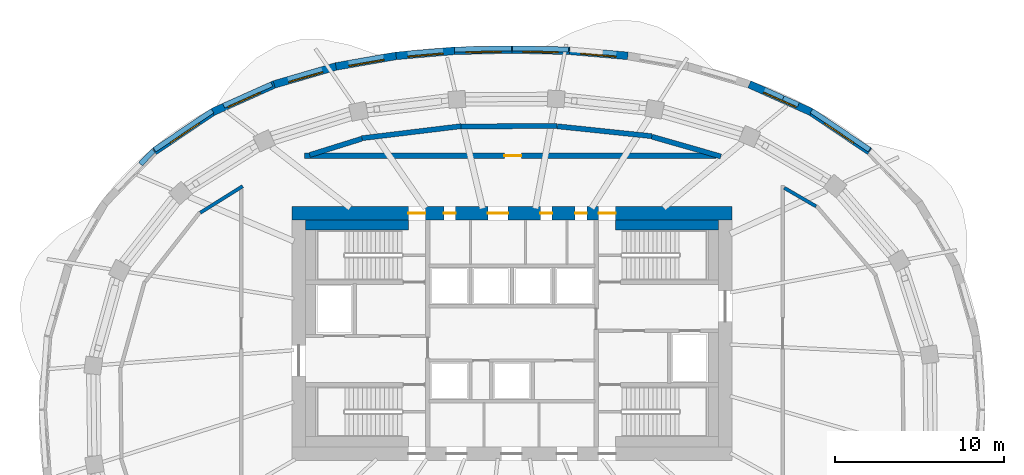
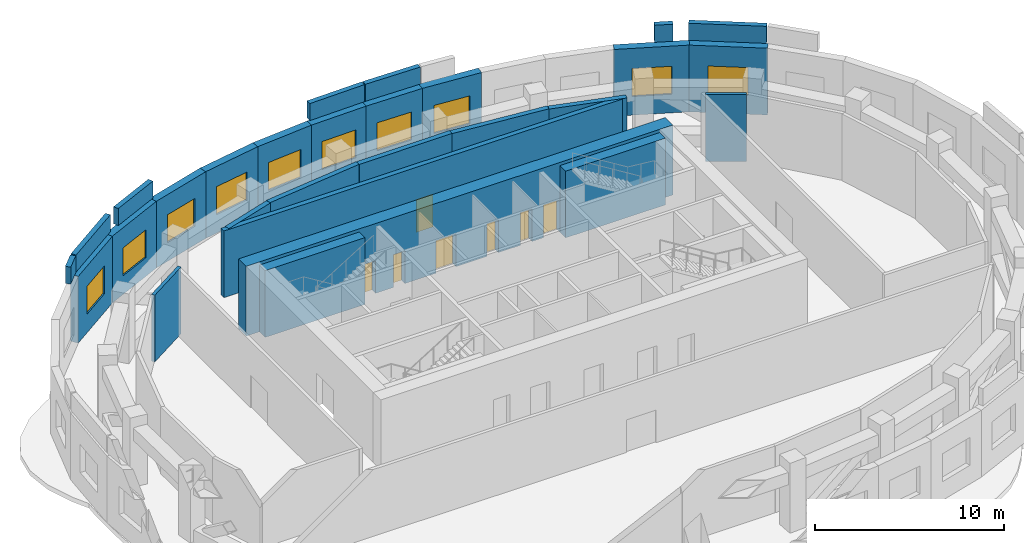
# One storey, part 7 of 9: 28 walls, 10 windows, 7 doors, 17 openings.
"""IFC4 building model written with IfcOpenShell, lengths in metres."""

from ifc_helpers import new_model, si_unit, direction, frame, frame_2d, origin, place, context, subcontext, project, spatial, rectangle, extrude, material, layer, layer_set, type_object, element, fill, save


model = new_model("IFC4")

# Units and contexts
model_context = context("Model", 3, precision=1e-05, world=origin(), true_north=direction((0.0, 1.0)))
body_context = subcontext(model_context, "Body", "Model", "MODEL_VIEW")
ifc_project = project(units=[si_unit("LENGTHUNIT", "METRE"), si_unit("AREAUNIT", "SQUARE_METRE"), si_unit("VOLUMEUNIT", "CUBIC_METRE"), si_unit("PLANEANGLEUNIT", "RADIAN"), si_unit("MASSUNIT", "GRAM", prefix="KILO")], contexts=[model_context])

# Site, building, storey
site_placement = place(None, origin())
site = spatial("IfcSite", under=ifc_project, at=site_placement, CompositionType="ELEMENT")
building_placement = place(site_placement, origin())
building = spatial("IfcBuilding", under=site, at=building_placement, Name="Rubra Terraces Tower", CompositionType="ELEMENT")
storey_placement = place(building_placement, frame((0.0, 0.0, 216.89990234375)))
storey = spatial("IfcBuildingStorey", under=building, at=storey_placement, Name="L53", CompositionType="ELEMENT", Elevation=216.89990234375)

# Wall, opening, window
ifc_material_1 = material(Name="Brick masonry red-brown", Category="masonry")
ifc_layer_1 = layer(ifc_material_1, 0.449951171875)
ifc_layer_set_1 = layer_set([ifc_layer_1], Name="Brick masonry red-brown")
wall_type_1 = type_object("IfcWallType", Name="Brick facade wall 450", PredefinedType="SOLIDWALL", material=ifc_layer_set_1)
wall_1_placement = place(storey_placement, frame((21.130126953125, 15.257568359375, 0.0), z_axis=(0.0, 0.0, 1.0), x_axis=(-0.829077786947, 0.559133278557, 0.0)))
wall_1 = element("IfcWall", 1, at=wall_1_placement, inside=storey, type_object=wall_type_1, Name="Facade wall L53 bay 5", PredefinedType="SOLIDWALL", context=body_context, shape_type="SweptSolid", body=[
    extrude(rectangle(XDim=4.1865234375, YDim=0.449951171875, at=frame_2d((2.09326171875, 0.0))), origin(), (0.0, 0.0, 1.0), 4.300048828125),
])
opening_1_placement = place(wall_1_placement, frame((1.043212890625, 0.0, 1.199951171875)))
opening_1 = element("IfcOpeningElement", 2, at=opening_1_placement, cuts=wall_1, Name="Opening W4", PredefinedType="OPENING", context=body_context, shape_type="SweptSolid", body=[
    extrude(rectangle(XDim=2.10009765625, YDim=1.800048828125, at=frame_2d((1.050048828125, 0.89990234375))), frame((0.0, 0.23486328125, 0.0), z_axis=(0.0, -1.0, 0.0), x_axis=(1.0, 0.0, 0.0)), (0.0, 0.0, 1.0), 0.469970703125),
])
ifc_material_2 = material(Name="Clear glass in aluminium frame", Category="aluminium")
window_type = type_object("IfcWindowType", Name="Louvred plant window 2100 x 1800", PartitioningType="SINGLE_PANEL", PredefinedType="WINDOW", material=ifc_material_2)
window_1_placement = place(opening_1_placement, origin())
window_1 = element("IfcWindow", 3, at=window_1_placement, inside=storey, type_object=window_type, Name="Window L53 bay 5", OverallHeight=1.800048828125, OverallWidth=2.10009765625, PartitioningType="SINGLE_PANEL", PredefinedType="WINDOW", context=body_context, shape_type="SweptSolid", body=[
    extrude(rectangle(XDim=2.10009765625, YDim=1.800048828125, at=frame_2d((1.050048828125, 0.89990234375))), frame((0.0, 0.135009765625, 0.0), z_axis=(0.0, -1.0, 0.0), x_axis=(1.0, 0.0, 0.0)), (0.0, 0.0, 1.0), 0.06005859375),
])
fill(opening_1, window_1)

wall_2_placement = place(storey_placement, frame((17.693115234375, 17.57958984375, 0.0), z_axis=(0.0, 0.0, 1.0), x_axis=(-0.912580432801, 0.408897240966, 0.0)))
wall_2 = element("IfcWall", 4, at=wall_2_placement, inside=storey, type_object=wall_type_1, Name="Facade wall L53 bay 6", PredefinedType="SOLIDWALL", context=body_context, shape_type="SweptSolid", body=[
    extrude(rectangle(XDim=4.020751953125, YDim=0.449951171875, at=frame_2d((2.01025390625, 0.0))), origin(), (0.0, 0.0, 1.0), 4.300048828125),
])
opening_2_placement = place(wall_2_placement, frame((0.960205078125, 0.0, 1.199951171875)))
opening_2 = element("IfcOpeningElement", 5, at=opening_2_placement, cuts=wall_2, Name="Opening W4", PredefinedType="OPENING", context=body_context, shape_type="SweptSolid", body=[
    extrude(rectangle(XDim=2.10009765625, YDim=1.800048828125, at=frame_2d((1.050048828125, 0.89990234375))), frame((0.0, 0.23486328125, 0.0), z_axis=(0.0, -1.0, 0.0), x_axis=(1.0, 0.0, 0.0)), (0.0, 0.0, 1.0), 0.469970703125),
])
window_2_placement = place(opening_2_placement, origin())
window_2 = element("IfcWindow", 6, at=window_2_placement, inside=storey, type_object=window_type, Name="Window L53 bay 6", OverallHeight=1.800048828125, OverallWidth=2.10009765625, PartitioningType="SINGLE_PANEL", PredefinedType="WINDOW", context=body_context, shape_type="SweptSolid", body=[
    extrude(rectangle(XDim=2.10009765625, YDim=1.800048828125, at=frame_2d((1.050048828125, 0.89990234375))), frame((0.0, 0.135009765625, 0.0), z_axis=(0.0, -1.0, 0.0), x_axis=(1.0, 0.0, 0.0)), (0.0, 0.0, 1.0), 0.06005859375),
])
fill(opening_2, window_2)

wall_3_placement = place(storey_placement, frame((6.844482421875, 20.90185546875, 0.0), z_axis=(0.0, 0.0, 1.0), x_axis=(-0.99625818993, 0.086426957587, 0.0)))
wall_3 = element("IfcWall", 7, at=wall_3_placement, inside=storey, type_object=wall_type_1, Name="Facade wall L53 bay 9", PredefinedType="SOLIDWALL", context=body_context, shape_type="SweptSolid", body=[
    extrude(rectangle(XDim=3.48291015625, YDim=0.449951171875, at=frame_2d((1.741455078125, 0.0))), origin(), (0.0, 0.0, 1.0), 4.300048828125),
])
opening_3_placement = place(wall_3_placement, frame((0.69140625, 0.0, 1.199951171875)))
opening_3 = element("IfcOpeningElement", 8, at=opening_3_placement, cuts=wall_3, Name="Opening W4", PredefinedType="OPENING", context=body_context, shape_type="SweptSolid", body=[
    extrude(rectangle(XDim=2.10009765625, YDim=1.800048828125, at=frame_2d((1.050048828125, 0.89990234375))), frame((0.0, 0.23486328125, 0.0), z_axis=(0.0, -1.0, 0.0), x_axis=(1.0, 0.0, 0.0)), (0.0, 0.0, 1.0), 0.469970703125),
])
window_3_placement = place(opening_3_placement, origin())
window_3 = element("IfcWindow", 9, at=window_3_placement, inside=storey, type_object=window_type, Name="Window L53 bay 9", OverallHeight=1.800048828125, OverallWidth=2.10009765625, PartitioningType="SINGLE_PANEL", PredefinedType="WINDOW", context=body_context, shape_type="SweptSolid", body=[
    extrude(rectangle(XDim=2.10009765625, YDim=1.800048828125, at=frame_2d((1.050048828125, 0.89990234375))), frame((0.0, 0.135009765625, 0.0), z_axis=(0.0, -1.0, 0.0), x_axis=(1.0, 0.0, 0.0)), (0.0, 0.0, 1.0), 0.06005859375),
])
fill(opening_3, window_3)

wall_4_placement = place(storey_placement, frame((3.38916015625, 21.201904296875, 0.0), z_axis=(0.0, 0.0, 1.0), x_axis=(-0.999768789703, 0.021502723933, 0.0)))
wall_4 = element("IfcWall", 10, at=wall_4_placement, inside=storey, type_object=wall_type_1, Name="Facade wall L53 bay 10", PredefinedType="SOLIDWALL", context=body_context, shape_type="SweptSolid", body=[
    extrude(rectangle(XDim=3.394775390625, YDim=0.449951171875, at=frame_2d((1.697265625, 0.0))), origin(), (0.0, 0.0, 1.0), 4.300048828125),
])
opening_4_placement = place(wall_4_placement, frame((0.6474609375, 0.0, 1.199951171875)))
opening_4 = element("IfcOpeningElement", 11, at=opening_4_placement, cuts=wall_4, Name="Opening W4", PredefinedType="OPENING", context=body_context, shape_type="SweptSolid", body=[
    extrude(rectangle(XDim=2.10009765625, YDim=1.800048828125, at=frame_2d((1.050048828125, 0.89990234375))), frame((0.0, 0.23486328125, 0.0), z_axis=(0.0, -1.0, 0.0), x_axis=(1.0, 0.0, 0.0)), (0.0, 0.0, 1.0), 0.469970703125),
])
window_4_placement = place(opening_4_placement, origin())
window_4 = element("IfcWindow", 12, at=window_4_placement, inside=storey, type_object=window_type, Name="Window L53 bay 10", OverallHeight=1.800048828125, OverallWidth=2.10009765625, PartitioningType="SINGLE_PANEL", PredefinedType="WINDOW", context=body_context, shape_type="SweptSolid", body=[
    extrude(rectangle(XDim=2.10009765625, YDim=1.800048828125, at=frame_2d((1.050048828125, 0.89990234375))), frame((0.0, 0.135009765625, 0.0), z_axis=(0.0, -1.0, 0.0), x_axis=(1.0, 0.0, 0.0)), (0.0, 0.0, 1.0), 0.06005859375),
])
fill(opening_4, window_4)

wall_5_placement = place(storey_placement, frame((0.0048828125, 21.27490234375, 0.0), z_axis=(0.0, 0.0, 1.0), x_axis=(-0.999768789703, -0.021502723933, 0.0)))
wall_5 = element("IfcWall", 13, at=wall_5_placement, inside=storey, type_object=wall_type_1, Name="Facade wall L53 bay 11", PredefinedType="SOLIDWALL", context=body_context, shape_type="SweptSolid", body=[
    extrude(rectangle(XDim=3.394775390625, YDim=0.449951171875, at=frame_2d((1.697265625, 0.0))), origin(), (0.0, 0.0, 1.0), 4.300048828125),
])
opening_5_placement = place(wall_5_placement, frame((0.6474609375, 0.0, 1.199951171875)))
opening_5 = element("IfcOpeningElement", 14, at=opening_5_placement, cuts=wall_5, Name="Opening W4", PredefinedType="OPENING", context=body_context, shape_type="SweptSolid", body=[
    extrude(rectangle(XDim=2.10009765625, YDim=1.800048828125, at=frame_2d((1.050048828125, 0.89990234375))), frame((0.0, 0.23486328125, 0.0), z_axis=(0.0, -1.0, 0.0), x_axis=(1.0, 0.0, 0.0)), (0.0, 0.0, 1.0), 0.469970703125),
])
window_5_placement = place(opening_5_placement, origin())
window_5 = element("IfcWindow", 15, at=window_5_placement, inside=storey, type_object=window_type, Name="Window L53 bay 11", OverallHeight=1.800048828125, OverallWidth=2.10009765625, PartitioningType="SINGLE_PANEL", PredefinedType="WINDOW", context=body_context, shape_type="SweptSolid", body=[
    extrude(rectangle(XDim=2.10009765625, YDim=1.800048828125, at=frame_2d((1.050048828125, 0.89990234375))), frame((0.0, 0.135009765625, 0.0), z_axis=(0.0, -1.0, 0.0), x_axis=(1.0, 0.0, 0.0)), (0.0, 0.0, 1.0), 0.06005859375),
])
fill(opening_5, window_5)

wall_6_placement = place(storey_placement, frame((-3.37451171875, 21.202880859375, 0.0), z_axis=(0.0, 0.0, 1.0), x_axis=(-0.99625818993, -0.086426957587, 0.0)))
wall_6 = element("IfcWall", 16, at=wall_6_placement, inside=storey, type_object=wall_type_1, Name="Facade wall L53 bay 12", PredefinedType="SOLIDWALL", context=body_context, shape_type="SweptSolid", body=[
    extrude(rectangle(XDim=3.48291015625, YDim=0.449951171875, at=frame_2d((1.741455078125, 0.0))), origin(), (0.0, 0.0, 1.0), 4.300048828125),
])
opening_6_placement = place(wall_6_placement, frame((0.69140625, 0.0, 1.199951171875)))
opening_6 = element("IfcOpeningElement", 17, at=opening_6_placement, cuts=wall_6, Name="Opening W4", PredefinedType="OPENING", context=body_context, shape_type="SweptSolid", body=[
    extrude(rectangle(XDim=2.10009765625, YDim=1.800048828125, at=frame_2d((1.050048828125, 0.89990234375))), frame((0.0, 0.23486328125, 0.0), z_axis=(0.0, -1.0, 0.0), x_axis=(1.0, 0.0, 0.0)), (0.0, 0.0, 1.0), 0.469970703125),
])
window_6_placement = place(opening_6_placement, origin())
window_6 = element("IfcWindow", 18, at=window_6_placement, inside=storey, type_object=window_type, Name="Window L53 bay 12", OverallHeight=1.800048828125, OverallWidth=2.10009765625, PartitioningType="SINGLE_PANEL", PredefinedType="WINDOW", context=body_context, shape_type="SweptSolid", body=[
    extrude(rectangle(XDim=2.10009765625, YDim=1.800048828125, at=frame_2d((1.050048828125, 0.89990234375))), frame((0.0, 0.135009765625, 0.0), z_axis=(0.0, -1.0, 0.0), x_axis=(1.0, 0.0, 0.0)), (0.0, 0.0, 1.0), 0.06005859375),
])
fill(opening_6, window_6)

wall_7_placement = place(storey_placement, frame((-6.8251953125, 20.904296875, 0.0), z_axis=(0.0, 0.0, 1.0), x_axis=(-0.984962239205, -0.172769752386, 0.0)))
wall_7 = element("IfcWall", 19, at=wall_7_placement, inside=storey, type_object=wall_type_1, Name="Facade wall L53 bay 13", PredefinedType="SOLIDWALL", context=body_context, shape_type="SweptSolid", body=[
    extrude(rectangle(XDim=3.634521484375, YDim=0.449951171875, at=frame_2d((1.8173828125, 0.0))), origin(), (0.0, 0.0, 1.0), 4.300048828125),
])
opening_7_placement = place(wall_7_placement, frame((0.767333984375, 0.0, 1.199951171875)))
opening_7 = element("IfcOpeningElement", 20, at=opening_7_placement, cuts=wall_7, Name="Opening W4", PredefinedType="OPENING", context=body_context, shape_type="SweptSolid", body=[
    extrude(rectangle(XDim=2.10009765625, YDim=1.800048828125, at=frame_2d((1.050048828125, 0.89990234375))), frame((0.0, 0.23486328125, 0.0), z_axis=(0.0, -1.0, 0.0), x_axis=(1.0, 0.0, 0.0)), (0.0, 0.0, 1.0), 0.469970703125),
])
window_7_placement = place(opening_7_placement, origin())
window_7 = element("IfcWindow", 21, at=window_7_placement, inside=storey, type_object=window_type, Name="Window L53 bay 13", OverallHeight=1.800048828125, OverallWidth=2.10009765625, PartitioningType="SINGLE_PANEL", PredefinedType="WINDOW", context=body_context, shape_type="SweptSolid", body=[
    extrude(rectangle(XDim=2.10009765625, YDim=1.800048828125, at=frame_2d((1.050048828125, 0.89990234375))), frame((0.0, 0.135009765625, 0.0), z_axis=(0.0, -1.0, 0.0), x_axis=(1.0, 0.0, 0.0)), (0.0, 0.0, 1.0), 0.06005859375),
])
fill(opening_7, window_7)

wall_8_placement = place(storey_placement, frame((-10.381103515625, 20.281982421875, 0.0), z_axis=(0.0, 0.0, 1.0), x_axis=(-0.960131452472, -0.279548911594, 0.0)))
wall_8 = element("IfcWall", 22, at=wall_8_placement, inside=storey, type_object=wall_type_1, Name="Facade wall L53 bay 14", PredefinedType="SOLIDWALL", context=body_context, shape_type="SweptSolid", body=[
    extrude(rectangle(XDim=3.824462890625, YDim=0.449951171875, at=frame_2d((1.912109375, 0.0))), origin(), (0.0, 0.0, 1.0), 4.300048828125),
])
opening_8_placement = place(wall_8_placement, frame((0.8623046875, 0.0, 1.199951171875)))
opening_8 = element("IfcOpeningElement", 23, at=opening_8_placement, cuts=wall_8, Name="Opening W4", PredefinedType="OPENING", context=body_context, shape_type="SweptSolid", body=[
    extrude(rectangle(XDim=2.10009765625, YDim=1.800048828125, at=frame_2d((1.050048828125, 0.89990234375))), frame((0.0, 0.23486328125, 0.0), z_axis=(0.0, -1.0, 0.0), x_axis=(1.0, 0.0, 0.0)), (0.0, 0.0, 1.0), 0.469970703125),
])
window_8_placement = place(opening_8_placement, origin())
window_8 = element("IfcWindow", 24, at=window_8_placement, inside=storey, type_object=window_type, Name="Window L53 bay 14", OverallHeight=1.800048828125, OverallWidth=2.10009765625, PartitioningType="SINGLE_PANEL", PredefinedType="WINDOW", context=body_context, shape_type="SweptSolid", body=[
    extrude(rectangle(XDim=2.10009765625, YDim=1.800048828125, at=frame_2d((1.050048828125, 0.89990234375))), frame((0.0, 0.135009765625, 0.0), z_axis=(0.0, -1.0, 0.0), x_axis=(1.0, 0.0, 0.0)), (0.0, 0.0, 1.0), 0.06005859375),
])
fill(opening_8, window_8)

wall_9_placement = place(storey_placement, frame((-14.02392578125, 19.2236328125, 0.0), z_axis=(0.0, 0.0, 1.0), x_axis=(-0.912580432801, -0.408897240966, 0.0)))
wall_9 = element("IfcWall", 25, at=wall_9_placement, inside=storey, type_object=wall_type_1, Name="Facade wall L53 bay 15", PredefinedType="SOLIDWALL", context=body_context, shape_type="SweptSolid", body=[
    extrude(rectangle(XDim=4.020751953125, YDim=0.449951171875, at=frame_2d((2.01025390625, 0.0))), origin(), (0.0, 0.0, 1.0), 4.300048828125),
])
opening_9_placement = place(wall_9_placement, frame((0.960205078125, 0.0, 1.199951171875)))
opening_9 = element("IfcOpeningElement", 26, at=opening_9_placement, cuts=wall_9, Name="Opening W4", PredefinedType="OPENING", context=body_context, shape_type="SweptSolid", body=[
    extrude(rectangle(XDim=2.10009765625, YDim=1.800048828125, at=frame_2d((1.050048828125, 0.89990234375))), frame((0.0, 0.23486328125, 0.0), z_axis=(0.0, -1.0, 0.0), x_axis=(1.0, 0.0, 0.0)), (0.0, 0.0, 1.0), 0.469970703125),
])
window_9_placement = place(opening_9_placement, origin())
window_9 = element("IfcWindow", 27, at=window_9_placement, inside=storey, type_object=window_type, Name="Window L53 bay 15", OverallHeight=1.800048828125, OverallWidth=2.10009765625, PartitioningType="SINGLE_PANEL", PredefinedType="WINDOW", context=body_context, shape_type="SweptSolid", body=[
    extrude(rectangle(XDim=2.10009765625, YDim=1.800048828125, at=frame_2d((1.050048828125, 0.89990234375))), frame((0.0, 0.135009765625, 0.0), z_axis=(0.0, -1.0, 0.0), x_axis=(1.0, 0.0, 0.0)), (0.0, 0.0, 1.0), 0.06005859375),
])
fill(opening_9, window_9)

wall_10_placement = place(storey_placement, frame((-17.6591796875, 17.598388671875, 0.0), z_axis=(0.0, 0.0, 1.0), x_axis=(-0.829077786947, -0.559133278557, 0.0)))
wall_10 = element("IfcWall", 28, at=wall_10_placement, inside=storey, type_object=wall_type_1, Name="Facade wall L53 bay 16", PredefinedType="SOLIDWALL", context=body_context, shape_type="SweptSolid", body=[
    extrude(rectangle(XDim=4.1865234375, YDim=0.449951171875, at=frame_2d((2.09326171875, 0.0))), origin(), (0.0, 0.0, 1.0), 4.300048828125),
])
opening_10_placement = place(wall_10_placement, frame((1.043212890625, 0.0, 1.199951171875)))
opening_10 = element("IfcOpeningElement", 29, at=opening_10_placement, cuts=wall_10, Name="Opening W4", PredefinedType="OPENING", context=body_context, shape_type="SweptSolid", body=[
    extrude(rectangle(XDim=2.10009765625, YDim=1.800048828125, at=frame_2d((1.050048828125, 0.89990234375))), frame((0.0, 0.23486328125, 0.0), z_axis=(0.0, -1.0, 0.0), x_axis=(1.0, 0.0, 0.0)), (0.0, 0.0, 1.0), 0.469970703125),
])
window_10_placement = place(opening_10_placement, origin())
window_10 = element("IfcWindow", 30, at=window_10_placement, inside=storey, type_object=window_type, Name="Window L53 bay 16", OverallHeight=1.800048828125, OverallWidth=2.10009765625, PartitioningType="SINGLE_PANEL", PredefinedType="WINDOW", context=body_context, shape_type="SweptSolid", body=[
    extrude(rectangle(XDim=2.10009765625, YDim=1.800048828125, at=frame_2d((1.050048828125, 0.89990234375))), frame((0.0, 0.135009765625, 0.0), z_axis=(0.0, -1.0, 0.0), x_axis=(1.0, 0.0, 0.0)), (0.0, 0.0, 1.0), 0.06005859375),
])
fill(opening_10, window_10)

# Walls
ifc_layer_2 = layer(ifc_material_1, 0.300048828125)
ifc_layer_set_2 = layer_set([ifc_layer_2], Name="Brick masonry red-brown")
wall_type_2 = type_object("IfcWallType", Name="Brick parapet 300", PredefinedType="PARAPET", material=ifc_layer_set_2)
wall_11_placement = place(storey_placement, frame((21.12109375, 15.35400390625, 4.5), z_axis=(0.0, 0.0, 1.0), x_axis=(-0.829051710838, 0.559171942033, 0.0)))
element("IfcWall", 31, at=wall_11_placement, inside=storey, type_object=wall_type_2, Name="Parapet L53 bay 5", PredefinedType="PARAPET", context=body_context, shape_type="SweptSolid", body=[
    extrude(rectangle(XDim=4.125, YDim=0.300048828125, at=frame_2d((2.0625, 0.0))), origin(), (0.0, 0.0, 1.0), 1.10009765625),
])
wall_12_placement = place(storey_placement, frame((16.924560546875, 18.006103515625, 4.5), z_axis=(0.0, 0.0, 1.0), x_axis=(-0.912512530933, 0.40904875124, 0.0)))
element("IfcWall", 32, at=wall_12_placement, inside=storey, type_object=wall_type_2, Name="Parapet L53 bay 6", PredefinedType="PARAPET", context=body_context, shape_type="SweptSolid", body=[
    extrude(rectangle(XDim=0.97998046875, YDim=0.300048828125, at=frame_2d((0.489990234375, 0.0))), origin(), (0.0, 0.0, 1.0), 1.10009765625),
])
wall_13_placement = place(storey_placement, frame((3.35107421875, 21.27783203125, 4.5), z_axis=(0.0, 0.0, 1.0), x_axis=(-0.99976924748, 0.021481429011, 0.0)))
element("IfcWall", 33, at=wall_13_placement, inside=storey, type_object=wall_type_2, Name="Parapet L53 bay 10", PredefinedType="PARAPET", context=body_context, shape_type="SweptSolid", body=[
    extrude(rectangle(XDim=3.318603515625, YDim=0.300048828125, at=frame_2d((1.6591796875, 0.0))), origin(), (0.0, 0.0, 1.0), 1.10009765625),
])
wall_14_placement = place(storey_placement, frame((-0.033203125, 21.34912109375, 4.5), z_axis=(0.0, 0.0, 1.0), x_axis=(-0.999770030988, -0.02144493268, 0.0)))
element("IfcWall", 34, at=wall_14_placement, inside=storey, type_object=wall_type_2, Name="Parapet L53 bay 11", PredefinedType="PARAPET", context=body_context, shape_type="SweptSolid", body=[
    extrude(rectangle(XDim=3.3583984375, YDim=0.300048828125, at=frame_2d((1.67919921875, 0.0))), origin(), (0.0, 0.0, 1.0), 1.10009765625),
])
wall_15_placement = place(storey_placement, frame((-14.189697265625, 19.231689453125, 4.5), z_axis=(0.0, 0.0, 1.0), x_axis=(-0.912565684873, -0.408930153929, 0.0)))
element("IfcWall", 35, at=wall_15_placement, inside=storey, type_object=wall_type_2, Name="Parapet L53 bay 15", PredefinedType="PARAPET", context=body_context, shape_type="SweptSolid", body=[
    extrude(rectangle(XDim=3.121826171875, YDim=0.300048828125, at=frame_2d((1.56103515625, 0.0))), origin(), (0.0, 0.0, 1.0), 1.10009765625),
])
wall_16_placement = place(storey_placement, frame((-17.701171875, 17.66064453125, 4.5), z_axis=(0.0, 0.0, 1.0), x_axis=(-0.829051710838, -0.559171942033, 0.0)))
element("IfcWall", 36, at=wall_16_placement, inside=storey, type_object=wall_type_2, Name="Parapet L53 bay 16", PredefinedType="PARAPET", context=body_context, shape_type="SweptSolid", body=[
    extrude(rectangle(XDim=4.125, YDim=0.300048828125, at=frame_2d((2.0625, 0.0))), origin(), (0.0, 0.0, 1.0), 1.10009765625),
])
wall_17_placement = place(storey_placement, frame((-21.19091796875, 15.29541015625, 4.5), z_axis=(0.0, 0.0, 1.0), x_axis=(-0.694032216522, -0.719943943949, 0.0)))
element("IfcWall", 37, at=wall_17_placement, inside=storey, type_object=wall_type_2, Name="Parapet L53 bay 17", PredefinedType="PARAPET", context=body_context, shape_type="SweptSolid", body=[
    extrude(rectangle(XDim=1.093017578125, YDim=0.300048828125, at=frame_2d((0.54638671875, 0.0))), origin(), (0.0, 0.0, 1.0), 1.10009765625),
])

# Wall, openings, doors
ifc_material_3 = material(Name="Concrete C50", Category="concrete")
ifc_layer_3 = layer(ifc_material_3, 0.800048828125)
ifc_layer_set_3 = layer_set([ifc_layer_3], Name="Concrete C50")
wall_type_3 = type_object("IfcWallType", Name="CORE WALL 800 C50", PredefinedType="SHEAR", material=ifc_layer_set_3)
wall_18_placement = place(storey_placement, frame((-13.0, 11.60009765625, 0.0), z_axis=(0.0, 0.0, 1.0), x_axis=(1.0, 0.0, 0.0)))
wall_18 = element("IfcWall", 38, at=wall_18_placement, inside=storey, type_object=wall_type_3, Name="CORE WALL N L53", PredefinedType="SHEAR", context=body_context, shape_type="SweptSolid", body=[
    extrude(rectangle(XDim=26.0, YDim=0.800048828125, at=frame_2d((13.0, 0.0))), origin(), (0.0, 0.0, 1.0), 4.5),
])
opening_11_placement = place(wall_18_placement, frame((8.97509765625, 0.0, 0.0)))
opening_11 = element("IfcOpeningElement", 39, at=opening_11_placement, cuts=wall_18, Name="Opening L53.C18", PredefinedType="OPENING", context=body_context, shape_type="SweptSolid", body=[
    extrude(rectangle(XDim=0.699951171875, YDim=2.10009765625, at=frame_2d((0.35009765625, 1.050048828125))), frame((0.0, 0.409912109375, 0.0), z_axis=(0.0, -1.0, 0.0), x_axis=(1.0, 0.0, 0.0)), (0.0, 0.0, 1.0), 0.820068359375),
])
opening_12_placement = place(wall_18_placement, frame((11.574951171875, 0.0, 0.0)))
opening_12 = element("IfcOpeningElement", 40, at=opening_12_placement, cuts=wall_18, Name="Opening L53.C19", PredefinedType="OPENING", context=body_context, shape_type="SweptSolid", body=[
    extrude(rectangle(XDim=1.199951171875, YDim=2.10009765625, at=frame_2d((0.60009765625, 1.050048828125))), frame((0.0, 0.409912109375, 0.0), z_axis=(0.0, -1.0, 0.0), x_axis=(1.0, 0.0, 0.0)), (0.0, 0.0, 1.0), 0.820068359375),
])
opening_13_placement = place(wall_18_placement, frame((14.675048828125, 0.0, 0.0)))
opening_13 = element("IfcOpeningElement", 41, at=opening_13_placement, cuts=wall_18, Name="Opening L53.C20", PredefinedType="OPENING", context=body_context, shape_type="SweptSolid", body=[
    extrude(rectangle(XDim=0.699951171875, YDim=2.10009765625, at=frame_2d((0.35009765625, 1.050048828125))), frame((0.0, 0.409912109375, 0.0), z_axis=(0.0, -1.0, 0.0), x_axis=(1.0, 0.0, 0.0)), (0.0, 0.0, 1.0), 0.820068359375),
])
opening_14_placement = place(wall_18_placement, frame((16.72509765625, 0.0, 0.0)))
opening_14 = element("IfcOpeningElement", 42, at=opening_14_placement, cuts=wall_18, Name="Opening L53.C21", PredefinedType="OPENING", context=body_context, shape_type="SweptSolid", body=[
    extrude(rectangle(XDim=0.699951171875, YDim=2.10009765625, at=frame_2d((0.35009765625, 1.050048828125))), frame((0.0, 0.409912109375, 0.0), z_axis=(0.0, -1.0, 0.0), x_axis=(1.0, 0.0, 0.0)), (0.0, 0.0, 1.0), 0.820068359375),
])
opening_15_placement = place(wall_18_placement, frame((6.8798828125, 0.0, 0.0)))
opening_15 = element("IfcOpeningElement", 43, at=opening_15_placement, cuts=wall_18, Name="Opening L53.C23", PredefinedType="OPENING", context=body_context, shape_type="SweptSolid", body=[
    extrude(rectangle(XDim=1.0, YDim=2.10009765625, at=frame_2d((0.5, 1.050048828125))), frame((0.0, 0.409912109375, 0.0), z_axis=(0.0, -1.0, 0.0), x_axis=(1.0, 0.0, 0.0)), (0.0, 0.0, 1.0), 0.820068359375),
])
opening_16_placement = place(wall_18_placement, frame((18.1201171875, 0.0, 0.0)))
opening_16 = element("IfcOpeningElement", 44, at=opening_16_placement, cuts=wall_18, Name="Opening L53.C24", PredefinedType="OPENING", context=body_context, shape_type="SweptSolid", body=[
    extrude(rectangle(XDim=1.0, YDim=2.10009765625, at=frame_2d((0.5, 1.050048828125))), frame((0.0, 0.409912109375, 0.0), z_axis=(0.0, -1.0, 0.0), x_axis=(1.0, 0.0, 0.0)), (0.0, 0.0, 1.0), 0.820068359375),
])
ifc_material_4 = material(Name="Painted steel", Category="steel")
door_type_1 = type_object("IfcDoorType", Name="Fire door 1000x2100 single", OperationType="NOTDEFINED", PredefinedType="DOOR", material=ifc_material_4)
door_1_placement = place(opening_15_placement, origin())
door_1 = element("IfcDoor", 45, at=door_1_placement, inside=storey, type_object=door_type_1, Name="Stair S2 refuge door", OperationType="SINGLE_SWING_LEFT", OverallHeight=2.10009765625, OverallWidth=1.0, PredefinedType="DOOR", context=body_context, shape_type="SweptSolid", body=[
    extrude(rectangle(XDim=1.0, YDim=2.10009765625, at=frame_2d((0.5, 1.050048828125))), frame((0.0, 0.02490234375, 0.0), z_axis=(0.0, -1.0, 0.0), x_axis=(1.0, 0.0, 0.0)), (0.0, 0.0, 1.0), 0.050048828125),
])
fill(opening_15, door_1)
door_2_placement = place(opening_16_placement, origin())
door_2 = element("IfcDoor", 46, at=door_2_placement, inside=storey, type_object=door_type_1, Name="Stair S3 refuge door", OperationType="SINGLE_SWING_RIGHT", OverallHeight=2.10009765625, OverallWidth=1.0, PredefinedType="DOOR", context=body_context, shape_type="SweptSolid", body=[
    extrude(rectangle(XDim=1.0, YDim=2.10009765625, at=frame_2d((0.5, 1.050048828125))), frame((0.0, 0.02490234375, 0.0), z_axis=(0.0, -1.0, 0.0), x_axis=(1.0, 0.0, 0.0)), (0.0, 0.0, 1.0), 0.050048828125),
])
fill(opening_16, door_2)
door_type_2 = type_object("IfcDoorType", Name="Fire door 1200x2100 single", OperationType="NOTDEFINED", PredefinedType="DOOR", material=ifc_material_4)
door_3_placement = place(opening_12_placement, origin())
door_3 = element("IfcDoor", 47, at=door_3_placement, inside=storey, type_object=door_type_2, Name="Air handling plant room door", OperationType="SINGLE_SWING_LEFT", OverallHeight=2.10009765625, OverallWidth=1.199951171875, PredefinedType="DOOR", context=body_context, shape_type="SweptSolid", body=[
    extrude(rectangle(XDim=1.199951171875, YDim=2.10009765625, at=frame_2d((0.60009765625, 1.050048828125))), frame((0.0, 0.02490234375, 0.0), z_axis=(0.0, -1.0, 0.0), x_axis=(1.0, 0.0, 0.0)), (0.0, 0.0, 1.0), 0.050048828125),
])
fill(opening_12, door_3)
door_type_3 = type_object("IfcDoorType", Name="Riser access door 700x2100 single", OperationType="NOTDEFINED", PredefinedType="DOOR", material=ifc_material_4)
door_4_placement = place(opening_11_placement, origin())
door_4 = element("IfcDoor", 48, at=door_4_placement, inside=storey, type_object=door_type_3, Name="M&E riser room door", OperationType="SINGLE_SWING_RIGHT", OverallHeight=2.10009765625, OverallWidth=0.699951171875, PredefinedType="DOOR", context=body_context, shape_type="SweptSolid", body=[
    extrude(rectangle(XDim=0.699951171875, YDim=2.10009765625, at=frame_2d((0.35009765625, 1.050048828125))), frame((0.0, 0.02490234375, 0.0), z_axis=(0.0, -1.0, 0.0), x_axis=(1.0, 0.0, 0.0)), (0.0, 0.0, 1.0), 0.050048828125),
])
fill(opening_11, door_4)
door_5_placement = place(opening_13_placement, origin())
door_5 = element("IfcDoor", 49, at=door_5_placement, inside=storey, type_object=door_type_3, Name="Telecoms room door", OperationType="SINGLE_SWING_RIGHT", OverallHeight=2.10009765625, OverallWidth=0.699951171875, PredefinedType="DOOR", context=body_context, shape_type="SweptSolid", body=[
    extrude(rectangle(XDim=0.699951171875, YDim=2.10009765625, at=frame_2d((0.35009765625, 1.050048828125))), frame((0.0, 0.02490234375, 0.0), z_axis=(0.0, -1.0, 0.0), x_axis=(1.0, 0.0, 0.0)), (0.0, 0.0, 1.0), 0.050048828125),
])
fill(opening_13, door_5)
door_6_placement = place(opening_14_placement, origin())
door_6 = element("IfcDoor", 50, at=door_6_placement, inside=storey, type_object=door_type_3, Name="Mechanical riser (water and drainage) door", OperationType="SINGLE_SWING_LEFT", OverallHeight=2.10009765625, OverallWidth=0.699951171875, PredefinedType="DOOR", context=body_context, shape_type="SweptSolid", body=[
    extrude(rectangle(XDim=0.699951171875, YDim=2.10009765625, at=frame_2d((0.35009765625, 1.050048828125))), frame((0.0, 0.02490234375, 0.0), z_axis=(0.0, -1.0, 0.0), x_axis=(1.0, 0.0, 0.0)), (0.0, 0.0, 1.0), 0.050048828125),
])
fill(opening_14, door_6)

# Walls
ifc_material_5 = material(Name="Concrete C40", Category="concrete")
ifc_layer_4 = layer(ifc_material_5, 0.60009765625)
ifc_layer_set_4 = layer_set([ifc_layer_4], Name="Concrete C40")
wall_type_4 = type_object("IfcWallType", Name="Core lining wall 600 concrete", PredefinedType="SOLIDWALL", material=ifc_layer_set_4)
for number, where, z_axis, x_axis, name in (
    (51, (-12.199951171875, 10.89990234375, 0.0), (0.0, 0.0, 1.0), (1.0, 0.0, 0.0), "CORE LINING WALL L53"),
    (52, (12.199951171875, 10.89990234375, 0.0), (0.0, 0.0, 1.0), (-1.0, 0.0, 0.0), "CORE LINING WALL L53"),
):
    element("IfcWall", number, at=place(storey_placement, frame(where, z_axis=z_axis, x_axis=x_axis)), inside=storey, type_object=wall_type_4, Name=name, PredefinedType="SOLIDWALL", context=body_context, shape_type="SweptSolid", body=[
        extrude(rectangle(XDim=6.079833984375, YDim=0.60009765625, at=frame_2d((3.0400390625, 0.0))), origin(), (0.0, 0.0, 1.0), 4.300048828125),
    ])
ifc_material_6 = material(Name="Blockwork", Category="masonry")
ifc_layer_5 = layer(ifc_material_6, 0.199951171875)
ifc_layer_set_5 = layer_set([ifc_layer_5], Name="Blockwork")
wall_type_5 = type_object("IfcWallType", Name="Corridor partition 200 blockwork", PredefinedType="PARTITIONING", material=ifc_layer_set_5)
wall_19_placement = place(storey_placement, frame((-18.422119140625, 11.635009765625, 0.0), z_axis=(0.0, 0.0, 1.0), x_axis=(0.848299824463, 0.529516201656, 0.0)))
element("IfcWall", 53, at=wall_19_placement, inside=storey, type_object=wall_type_5, Name="Partition wall", PredefinedType="PARTITIONING", context=body_context, shape_type="SweptSolid", body=[
    extrude(rectangle(XDim=2.955322265625, YDim=0.199951171875, at=frame_2d((1.4775390625, 0.0))), origin(), (0.0, 0.0, 1.0), 4.300048828125),
])
wall_20_placement = place(storey_placement, frame((16.0869140625, 13.10205078125, 0.0), z_axis=(0.0, 0.0, 1.0), x_axis=(0.864913206024, -0.50192145406, 0.0)))
element("IfcWall", 54, at=wall_20_placement, inside=storey, type_object=wall_type_5, Name="Partition wall", PredefinedType="PARTITIONING", context=body_context, shape_type="SweptSolid", body=[
    extrude(rectangle(XDim=2.173828125, YDim=0.199951171875, at=frame_2d((1.0869140625, 0.0))), origin(), (0.0, 0.0, 1.0), 4.300048828125),
])
ifc_layer_6 = layer(ifc_material_6, 0.300048828125)
ifc_layer_set_6 = layer_set([ifc_layer_6], Name="Blockwork")
wall_type_6 = type_object("IfcWallType", Name="Plant wall 300 blockwork", PredefinedType="SOLIDWALL", material=ifc_layer_set_6)
wall_21_placement = place(storey_placement, frame((-8.8740234375, 16.035888671875, 0.0), z_axis=(0.0, 0.0, 1.0), x_axis=(0.992721072598, 0.120436174046, 0.0)))
element("IfcWall", 55, at=wall_21_placement, inside=storey, type_object=wall_type_6, Name="Plant room wall", PredefinedType="SOLIDWALL", context=body_context, shape_type="SweptSolid", body=[
    extrude(rectangle(XDim=5.9130859375, YDim=0.300048828125, at=frame_2d((2.95654296875, 0.0))), origin(), (0.0, 0.0, 1.0), 4.300048828125),
])
wall_22_placement = place(storey_placement, frame((-3.0029296875, 16.73095703125, 0.0), z_axis=(0.0, 0.0, 1.0), x_axis=(0.999987762334, 0.004947239951, 0.0)))
element("IfcWall", 56, at=wall_22_placement, inside=storey, type_object=wall_type_6, Name="Plant room wall", PredefinedType="SOLIDWALL", context=body_context, shape_type="SweptSolid", body=[
    extrude(rectangle(XDim=5.675048828125, YDim=0.300048828125, at=frame_2d((2.83740234375, 0.0))), origin(), (0.0, 0.0, 1.0), 4.300048828125),
])
wall_23_placement = place(storey_placement, frame((2.6708984375, 16.741943359375, 0.0), z_axis=(0.0, 0.0, 1.0), x_axis=(0.99455907377, -0.104174127222, 0.0)))
element("IfcWall", 57, at=wall_23_placement, inside=storey, type_object=wall_type_6, Name="Plant room wall", PredefinedType="SOLIDWALL", context=body_context, shape_type="SweptSolid", body=[
    extrude(rectangle(XDim=5.62451171875, YDim=0.300048828125, at=frame_2d((2.812255859375, 0.0))), origin(), (0.0, 0.0, 1.0), 4.300048828125),
])
wall_24_placement = place(storey_placement, frame((8.260009765625, 16.131103515625, 0.0), z_axis=(0.0, 0.0, 1.0), x_axis=(0.961195849484, -0.275866886261, 0.0)))
element("IfcWall", 58, at=wall_24_placement, inside=storey, type_object=wall_type_6, Name="Plant room wall", PredefinedType="SOLIDWALL", context=body_context, shape_type="SweptSolid", body=[
    extrude(rectangle(XDim=4.248779296875, YDim=0.300048828125, at=frame_2d((2.12451171875, 0.0))), origin(), (0.0, 0.0, 1.0), 4.300048828125),
])

# Wall, opening, door
wall_25_placement = place(storey_placement, frame((12.050048828125, 15.0, 0.0), z_axis=(0.0, 0.0, 1.0), x_axis=(-1.0, 0.0, 0.0)))
wall_25 = element("IfcWall", 59, at=wall_25_placement, inside=storey, type_object=wall_type_6, Name="Plant room wall", PredefinedType="SOLIDWALL", context=body_context, shape_type="SweptSolid", body=[
    extrude(rectangle(XDim=24.298095703125, YDim=0.300048828125, at=frame_2d((12.14892578125, 0.0))), origin(), (0.0, 0.0, 1.0), 4.300048828125),
])
opening_17_placement = place(wall_25_placement, frame((11.4990234375, 0.0, 0.0)))
opening_17 = element("IfcOpeningElement", 60, at=opening_17_placement, cuts=wall_25, Name="Opening DB1", PredefinedType="OPENING", context=body_context, shape_type="SweptSolid", body=[
    extrude(rectangle(XDim=1.0, YDim=2.10009765625, at=frame_2d((0.5, 1.050048828125))), frame((0.0, 0.159912109375, 0.0), z_axis=(0.0, -1.0, 0.0), x_axis=(1.0, 0.0, 0.0)), (0.0, 0.0, 1.0), 0.320068359375),
])
ifc_material_7 = material(Name="Painted timber", Category="wood")
door_type_4 = type_object("IfcDoorType", Name="Door 1000x2100 single", OperationType="NOTDEFINED", PredefinedType="DOOR", material=ifc_material_7)
door_7_placement = place(opening_17_placement, origin())
door_7 = element("IfcDoor", 61, at=door_7_placement, inside=storey, type_object=door_type_4, Name="Plant room door L53-04", OperationType="SINGLE_SWING_LEFT", OverallHeight=2.10009765625, OverallWidth=1.0, PredefinedType="DOOR", context=body_context, shape_type="SweptSolid", body=[
    extrude(rectangle(XDim=1.0, YDim=2.10009765625, at=frame_2d((0.5, 1.050048828125))), frame((0.0, 0.02490234375, 0.0), z_axis=(0.0, -1.0, 0.0), x_axis=(1.0, 0.0, 0.0)), (0.0, 0.0, 1.0), 0.050048828125),
])
fill(opening_17, door_7)

# Wall
wall_26_placement = place(storey_placement, frame((-11.955078125, 15.044921875, 0.0), z_axis=(0.0, 0.0, 1.0), x_axis=(0.954535032464, 0.298098761819, 0.0)))
element("IfcWall", 62, at=wall_26_placement, inside=storey, type_object=wall_type_6, Name="Plant room wall", PredefinedType="SOLIDWALL", context=body_context, shape_type="SweptSolid", body=[
    extrude(rectangle(XDim=3.234130859375, YDim=0.300048828125, at=frame_2d((1.6171875, 0.0))), origin(), (0.0, 0.0, 1.0), 4.300048828125),
])

save(model, "model.ifc")
